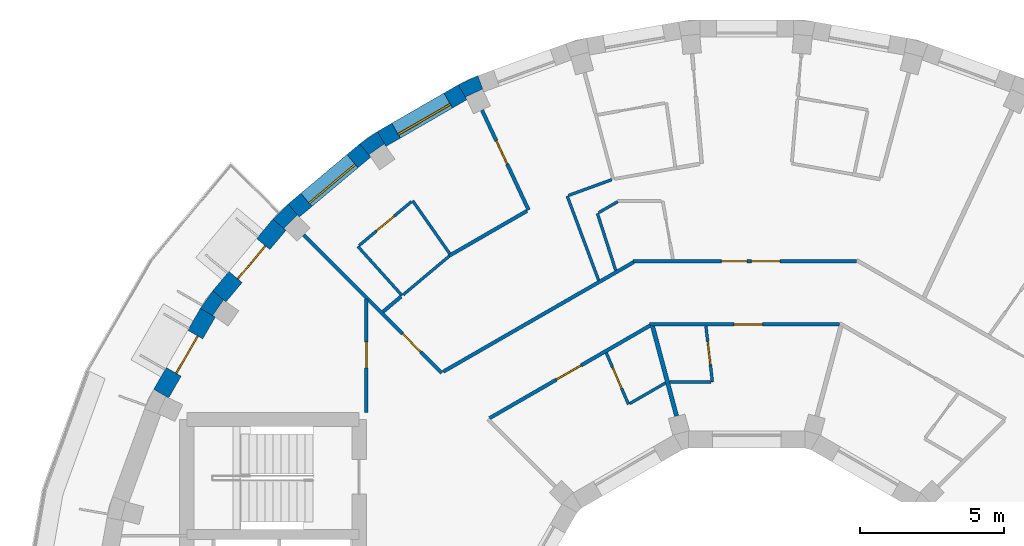
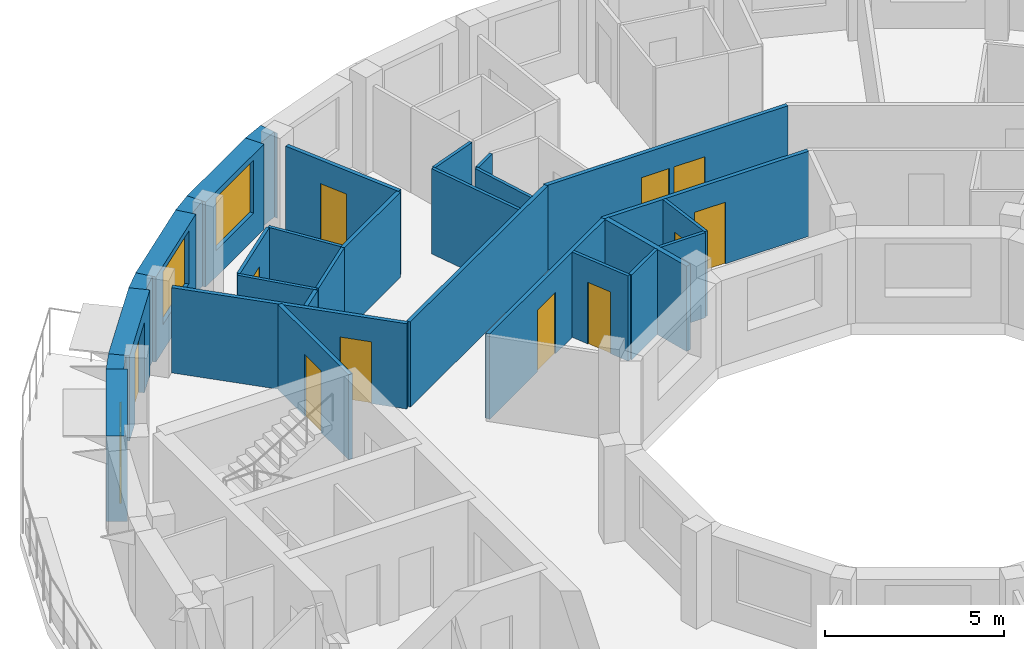
# One storey, part 7 of 10: 30 walls, 12 doors, 2 windows, 14 openings.
"""IFC4 building model written with IfcOpenShell, lengths in metres."""

from ifc_helpers import new_model, si_unit, direction, frame, frame_2d, origin, place, context, subcontext, project, spatial, polyline, rectangle, outline, extrude, material, layer, layer_set, type_object, element, fill, save


model = new_model("IFC4")

# Units and contexts
model_context = context("Model", 3, precision=1e-05, world=origin(), true_north=direction((0.0, 1.0)))
body_context = subcontext(model_context, "Body", "Model", "MODEL_VIEW")
ifc_project = project(units=[si_unit("LENGTHUNIT", "METRE"), si_unit("AREAUNIT", "SQUARE_METRE"), si_unit("VOLUMEUNIT", "CUBIC_METRE"), si_unit("PLANEANGLEUNIT", "RADIAN"), si_unit("MASSUNIT", "GRAM", prefix="KILO")], contexts=[model_context])

# Site, building, storey
site_placement = place(None, origin())
site = spatial("IfcSite", under=ifc_project, at=site_placement, CompositionType="ELEMENT")
building_placement = place(site_placement, origin())
building = spatial("IfcBuilding", under=site, at=building_placement, Name="Saqina Gate Tower", CompositionType="ELEMENT")
storey_placement = place(building_placement, frame((0.0, 0.0, 242.89990234375)))
storey = spatial("IfcBuildingStorey", under=building, at=storey_placement, Name="L69", CompositionType="ELEMENT", Elevation=242.89990234375)

# Walls
ifc_material_1 = material(Name="Brick masonry (buff)", Category="masonry")
wall_type_1 = type_object("IfcWallType", Name="BRICK PIER COPING BUFF", PredefinedType="SOLIDWALL", material=ifc_material_1)
wall_1_placement = place(storey_placement, origin())
element("IfcWall", 1, at=wall_1_placement, inside=storey, type_object=wall_type_1, Name="Pier cap L69 column 12", PredefinedType="SOLIDWALL", context=body_context, shape_type="SweptSolid", body=[
    extrude(outline(polyline([(-9.3642578125, 20.974609375), (-10.048095703125, 20.65576171875), (-9.748291015625, 20.135986328125), (-9.79296875, 20.23193359375), (-9.203857421875, 20.506591796875), (-9.1591796875, 20.410888671875), (-9.3642578125, 20.974609375)])), origin(), (0.0, 0.0, 1.0), 2.900146484375),
])
wall_2_placement = place(storey_placement, origin())
element("IfcWall", 2, at=wall_2_placement, inside=storey, type_object=wall_type_1, Name="Pier cap L69 column 13", PredefinedType="SOLIDWALL", context=body_context, shape_type="SweptSolid", body=[
    extrude(outline(polyline([(-12.8642578125, 19.02978515625), (-13.482421875, 18.59716796875), (-13.0966796875, 18.137451171875), (-13.157470703125, 18.22412109375), (-12.625, 18.596923828125), (-12.564208984375, 18.51025390625), (-12.8642578125, 19.02978515625)])), origin(), (0.0, 0.0, 1.0), 2.900146484375),
])
wall_3_placement = place(storey_placement, origin())
element("IfcWall", 3, at=wall_3_placement, inside=storey, type_object=wall_type_1, Name="Pier cap L69 column 14", PredefinedType="SOLIDWALL", context=body_context, shape_type="SweptSolid", body=[
    extrude(outline(polyline([(-16.5068359375, 15.973388671875), (-16.04736328125, 15.587646484375), (-16.1220703125, 15.662353515625), (-15.662353515625, 16.1220703125), (-15.587646484375, 16.04736328125), (-15.973388671875, 16.5068359375), (-16.5068359375, 15.973388671875)])), origin(), (0.0, 0.0, 1.0), 2.900146484375),
])
wall_4_placement = place(storey_placement, origin())
element("IfcWall", 4, at=wall_4_placement, inside=storey, type_object=wall_type_1, Name="Pier cap L69 column 15", PredefinedType="SOLIDWALL", context=body_context, shape_type="SweptSolid", body=[
    extrude(outline(polyline([(-19.02978515625, 12.8642578125), (-18.51025390625, 12.564208984375), (-18.596923828125, 12.625), (-18.22412109375, 13.157470703125), (-18.137451171875, 13.0966796875), (-18.59716796875, 13.482421875), (-19.02978515625, 12.8642578125)])), origin(), (0.0, 0.0, 1.0), 2.900146484375),
])

# Wall, opening, window
ifc_material_2 = material(Name="Brick masonry (buff)", Category="masonry")
ifc_layer_1 = layer(ifc_material_2, 0.60009765625)
ifc_layer_set_1 = layer_set([ifc_layer_1], Name="FW-BRICK-BUFF")
wall_type_2 = type_object("IfcWallType", Name="FW-BRICK-BUFF", PredefinedType="SOLIDWALL", material=ifc_layer_set_1)
wall_5_placement = place(storey_placement, frame((-9.898193359375, 20.39599609375, 0.0), z_axis=(0.0, 0.0, 1.0), x_axis=(-0.866016800201, -0.500014901547, 0.0)))
wall_5 = element("IfcWall", 5, at=wall_5_placement, inside=storey, type_object=wall_type_2, Name="Facade wall L69 facet 12", PredefinedType="SOLIDWALL", context=body_context, shape_type="SweptSolid", body=[
    extrude(rectangle(XDim=3.251953125, YDim=0.60009765625, at=frame_2d((1.6259765625, 0.0))), origin(), (0.0, 0.0, 1.0), 2.900146484375),
])
opening_1_placement = place(wall_5_placement, frame((0.57568359375, 0.0, 0.89990234375)))
opening_1 = element("IfcOpeningElement", 6, at=opening_1_placement, cuts=wall_5, Name="Opening G20-W10", PredefinedType="OPENING", context=body_context, shape_type="SweptSolid", body=[
    extrude(rectangle(XDim=2.10009765625, YDim=1.800048828125, at=frame_2d((1.050048828125, 0.89990234375))), frame((0.0, 0.31201171875, 0.0), z_axis=(0.0, -1.0, 0.0), x_axis=(1.0, 0.0, 0.0)), (0.0, 0.0, 1.0), 0.6240234375),
])
ifc_material_3 = material(Name="Aluminium glazing", Category="aluminium")
window_type = type_object("IfcWindowType", Name="WN-D", PartitioningType="SINGLE_PANEL", PredefinedType="WINDOW", material=ifc_material_3)
window_1_placement = place(opening_1_placement, origin())
window_1 = element("IfcWindow", 7, at=window_1_placement, inside=storey, type_object=window_type, Name="Window L69 facet 12", OverallHeight=1.800048828125, OverallWidth=2.10009765625, PartitioningType="SINGLE_PANEL", PredefinedType="WINDOW", context=body_context, shape_type="SweptSolid", body=[
    extrude(rectangle(XDim=2.10009765625, YDim=1.800048828125, at=frame_2d((1.050048828125, 0.89990234375))), frame((0.0, 0.179931640625, 0.0), z_axis=(0.0, -1.0, 0.0), x_axis=(1.0, 0.0, 0.0)), (0.0, 0.0, 1.0), 0.06005859375),
])
fill(opening_1, window_1)

wall_6_placement = place(storey_placement, frame((-13.28955078125, 18.3671875, 0.0), z_axis=(0.0, 0.0, 1.0), x_axis=(-0.766056773982, -0.64277291405, 0.0)))
wall_6 = element("IfcWall", 8, at=wall_6_placement, inside=storey, type_object=wall_type_2, Name="Facade wall L69 facet 13", PredefinedType="SOLIDWALL", context=body_context, shape_type="SweptSolid", body=[
    extrude(rectangle(XDim=3.251708984375, YDim=0.60009765625, at=frame_2d((1.6259765625, 0.0))), origin(), (0.0, 0.0, 1.0), 2.900146484375),
])
opening_2_placement = place(wall_6_placement, frame((0.57568359375, 0.0, 0.89990234375)))
opening_2 = element("IfcOpeningElement", 9, at=opening_2_placement, cuts=wall_6, Name="Opening G20-W11", PredefinedType="OPENING", context=body_context, shape_type="SweptSolid", body=[
    extrude(rectangle(XDim=2.10009765625, YDim=1.800048828125, at=frame_2d((1.050048828125, 0.89990234375))), frame((0.0, 0.31201171875, 0.0), z_axis=(0.0, -1.0, 0.0), x_axis=(1.0, 0.0, 0.0)), (0.0, 0.0, 1.0), 0.6240234375),
])
window_2_placement = place(opening_2_placement, origin())
window_2 = element("IfcWindow", 10, at=window_2_placement, inside=storey, type_object=window_type, Name="Window L69 facet 13", OverallHeight=1.800048828125, OverallWidth=2.10009765625, PartitioningType="SINGLE_PANEL", PredefinedType="WINDOW", context=body_context, shape_type="SweptSolid", body=[
    extrude(rectangle(XDim=2.10009765625, YDim=1.800048828125, at=frame_2d((1.050048828125, 0.89990234375))), frame((0.0, 0.179931640625, 0.0), z_axis=(0.0, -1.0, 0.0), x_axis=(1.0, 0.0, 0.0)), (0.0, 0.0, 1.0), 0.06005859375),
])
fill(opening_2, window_2)

# Wall, opening, door
wall_7_placement = place(storey_placement, frame((-16.277099609375, 15.780517578125, 0.0), z_axis=(0.0, 0.0, 1.0), x_axis=(-0.64277291405, -0.766056773982, 0.0)))
wall_7 = element("IfcWall", 11, at=wall_7_placement, inside=storey, type_object=wall_type_2, Name="Facade wall L69 facet 14", PredefinedType="SOLIDWALL", context=body_context, shape_type="SweptSolid", body=[
    extrude(rectangle(XDim=3.251708984375, YDim=0.60009765625, at=frame_2d((1.6259765625, 0.0))), origin(), (0.0, 0.0, 1.0), 2.900146484375),
])
opening_3_placement = place(wall_7_placement, frame((0.875732421875, 0.0, 0.0)))
opening_3 = element("IfcOpeningElement", 12, at=opening_3_placement, cuts=wall_7, Name="Opening G20-D80", PredefinedType="OPENING", context=body_context, shape_type="SweptSolid", body=[
    extrude(rectangle(XDim=1.5, YDim=2.39990234375, at=frame_2d((0.75, 1.199951171875))), frame((0.0, 0.31201171875, 0.0), z_axis=(0.0, -1.0, 0.0), x_axis=(1.0, 0.0, 0.0)), (0.0, 0.0, 1.0), 0.6240234375),
])
ifc_material_4 = material(Name="Aluminium glazing", Category="aluminium")
door_type_1 = type_object("IfcDoorType", Name="GD-D", OperationType="DOUBLE_DOOR_SINGLE_SWING", PredefinedType="DOOR", material=ifc_material_4)
door_1_placement = place(opening_3_placement, frame((1.5, 0.0, 0.0), z_axis=(0.0, 0.0, 1.0), x_axis=(-1.0, 0.0, 0.0)))
door_1 = element("IfcDoor", 13, at=door_1_placement, inside=storey, type_object=door_type_1, Name="Terrace door L69 facet 14", OperationType="DOUBLE_DOOR_SINGLE_SWING", OverallHeight=2.39990234375, OverallWidth=1.5, PredefinedType="DOOR", context=body_context, shape_type="SweptSolid", body=[
    extrude(rectangle(XDim=1.5, YDim=2.39990234375, at=frame_2d((0.75, 1.199951171875))), frame((0.0, -0.0751953125, 0.0), z_axis=(0.0, -1.0, 0.0), x_axis=(1.0, 0.0, 0.0)), (0.0, 0.0, 1.0), 0.050048828125),
])
fill(opening_3, door_1)

wall_8_placement = place(storey_placement, frame((-18.77001953125, 12.71435546875, 0.0), z_axis=(0.0, 0.0, 1.0), x_axis=(-0.500014901547, -0.866016800201, 0.0)))
wall_8 = element("IfcWall", 14, at=wall_8_placement, inside=storey, type_object=wall_type_2, Name="Facade wall L69 facet 15", PredefinedType="SOLIDWALL", context=body_context, shape_type="SweptSolid", body=[
    extrude(rectangle(XDim=3.251953125, YDim=0.60009765625, at=frame_2d((1.6259765625, 0.0))), origin(), (0.0, 0.0, 1.0), 2.900146484375),
])
opening_4_placement = place(wall_8_placement, frame((0.875732421875, 0.0, 0.0)))
opening_4 = element("IfcOpeningElement", 15, at=opening_4_placement, cuts=wall_8, Name="Opening G20-D81", PredefinedType="OPENING", context=body_context, shape_type="SweptSolid", body=[
    extrude(rectangle(XDim=1.5, YDim=2.39990234375, at=frame_2d((0.75, 1.199951171875))), frame((0.0, 0.31201171875, 0.0), z_axis=(0.0, -1.0, 0.0), x_axis=(1.0, 0.0, 0.0)), (0.0, 0.0, 1.0), 0.6240234375),
])
door_2_placement = place(opening_4_placement, frame((1.5, 0.0, 0.0), z_axis=(0.0, 0.0, 1.0), x_axis=(-1.0, 0.0, 0.0)))
door_2 = element("IfcDoor", 16, at=door_2_placement, inside=storey, type_object=door_type_1, Name="Terrace door L69 facet 15", OperationType="DOUBLE_DOOR_SINGLE_SWING", OverallHeight=2.39990234375, OverallWidth=1.5, PredefinedType="DOOR", context=body_context, shape_type="SweptSolid", body=[
    extrude(rectangle(XDim=1.5, YDim=2.39990234375, at=frame_2d((0.75, 1.199951171875))), frame((0.0, -0.0751953125, 0.0), z_axis=(0.0, -1.0, 0.0), x_axis=(1.0, 0.0, 0.0)), (0.0, 0.0, 1.0), 0.050048828125),
])
fill(opening_4, door_2)

ifc_material_5 = material(Name="Gypsum board on steel studs, 100 mm", Category="steel")
ifc_layer_2 = layer(ifc_material_5, 0.10009765625)
ifc_layer_set_2 = layer_set([ifc_layer_2], Name="PARTITION 100")
wall_type_3 = type_object("IfcWallType", Name="PARTITION 100", PredefinedType="PARTITIONING", material=ifc_layer_set_2)
wall_9_placement = place(storey_placement, frame((-1.421875, 12.247802734375, 0.0), z_axis=(0.0, 0.0, 1.0), x_axis=(0.115265376048, -0.993334733654, 0.0)))
wall_9 = element("IfcWall", 17, at=wall_9_placement, inside=storey, type_object=wall_type_3, Name="PARTITION PW3-02", PredefinedType="PARTITIONING", context=body_context, shape_type="SweptSolid", body=[
    extrude(rectangle(XDim=1.95068359375, YDim=0.10009765625, at=frame_2d((0.975341796875, 0.0))), origin(), (0.0, 0.0, 1.0), 2.900146484375),
])
opening_5_placement = place(wall_9_placement, frame((0.544189453125, 0.0, 0.0)))
opening_5 = element("IfcOpeningElement", 18, at=opening_5_placement, cuts=wall_9, Name="Opening G20-D11", PredefinedType="OPENING", context=body_context, shape_type="SweptSolid", body=[
    extrude(rectangle(XDim=0.800048828125, YDim=2.10009765625, at=frame_2d((0.39990234375, 1.050048828125))), frame((0.0, 0.06201171875, 0.0), z_axis=(0.0, -1.0, 0.0), x_axis=(1.0, 0.0, 0.0)), (0.0, 0.0, 1.0), 0.1240234375),
])
ifc_material_6 = material(Name="Timber door leaf, 800 mm", Category="wood")
door_type_2 = type_object("IfcDoorType", Name="DOOR 800 TIMBER", OperationType="SINGLE_SWING_LEFT", PredefinedType="DOOR", material=ifc_material_6)
door_3_placement = place(opening_5_placement, origin())
door_3 = element("IfcDoor", 19, at=door_3_placement, inside=storey, type_object=door_type_2, Name="DOOR G20-D11", OperationType="SINGLE_SWING_LEFT", OverallHeight=2.10009765625, OverallWidth=0.800048828125, PredefinedType="DOOR", context=body_context, shape_type="SweptSolid", body=[
    extrude(rectangle(XDim=0.800048828125, YDim=2.10009765625, at=frame_2d((0.39990234375, 1.050048828125))), frame((0.0, 0.02490234375, 0.0), z_axis=(0.0, -1.0, 0.0), x_axis=(1.0, 0.0, 0.0)), (0.0, 0.0, 1.0), 0.050048828125),
])
fill(opening_5, door_3)

# Walls
wall_10_placement = place(storey_placement, frame((-5.201904296875, 16.176025390625, 0.0), z_axis=(0.0, 0.0, 1.0), x_axis=(0.305778015567, -0.95210283331, 0.0)))
element("IfcWall", 20, at=wall_10_placement, inside=storey, type_object=wall_type_3, Name="PARTITION PW3-07", PredefinedType="PARTITIONING", context=body_context, shape_type="SweptSolid", body=[
    extrude(rectangle(XDim=2.08544921875, YDim=0.10009765625, at=frame_2d((1.042724609375, 0.0))), origin(), (0.0, 0.0, 1.0), 2.900146484375),
])
wall_11_placement = place(storey_placement, frame((-6.254150390625, 16.783447265625, 0.0), z_axis=(0.0, 0.0, 1.0), x_axis=(0.349354612584, -0.936990584086, 0.0)))
element("IfcWall", 21, at=wall_11_placement, inside=storey, type_object=wall_type_3, Name="PARTITION PW3-09", PredefinedType="PARTITIONING", context=body_context, shape_type="SweptSolid", body=[
    extrude(rectangle(XDim=3.132080078125, YDim=0.10009765625, at=frame_2d((1.56591796875, 0.0))), origin(), (0.0, 0.0, 1.0), 2.900146484375),
])

# Wall, opening, door
wall_12_placement = place(storey_placement, frame((-4.89208984375, 11.317626953125, 0.0), z_axis=(0.0, 0.0, 1.0), x_axis=(0.396862705984, -0.917877983503, 0.0)))
wall_12 = element("IfcWall", 22, at=wall_12_placement, inside=storey, type_object=wall_type_3, Name="PARTITION PW3-10", PredefinedType="PARTITIONING", context=body_context, shape_type="SweptSolid", body=[
    extrude(rectangle(XDim=1.95068359375, YDim=0.10009765625, at=frame_2d((0.975341796875, 0.0))), origin(), (0.0, 0.0, 1.0), 2.900146484375),
])
opening_6_placement = place(wall_12_placement, frame((0.544189453125, 0.0, 0.0)))
opening_6 = element("IfcOpeningElement", 23, at=opening_6_placement, cuts=wall_12, Name="Opening G20-D14", PredefinedType="OPENING", context=body_context, shape_type="SweptSolid", body=[
    extrude(rectangle(XDim=0.800048828125, YDim=2.10009765625, at=frame_2d((0.39990234375, 1.050048828125))), frame((0.0, 0.06201171875, 0.0), z_axis=(0.0, -1.0, 0.0), x_axis=(1.0, 0.0, 0.0)), (0.0, 0.0, 1.0), 0.1240234375),
])
door_4_placement = place(opening_6_placement, frame((0.800048828125, 0.0, 0.0), z_axis=(0.0, 0.0, 1.0), x_axis=(-1.0, 0.0, 0.0)))
door_4 = element("IfcDoor", 24, at=door_4_placement, inside=storey, type_object=door_type_2, Name="DOOR G20-D14", OperationType="SINGLE_SWING_RIGHT", OverallHeight=2.10009765625, OverallWidth=0.800048828125, PredefinedType="DOOR", context=body_context, shape_type="SweptSolid", body=[
    extrude(rectangle(XDim=0.800048828125, YDim=2.10009765625, at=frame_2d((0.39990234375, 1.050048828125))), frame((0.0, 0.02490234375, 0.0), z_axis=(0.0, -1.0, 0.0), x_axis=(1.0, 0.0, 0.0)), (0.0, 0.0, 1.0), 0.050048828125),
])
fill(opening_6, door_4)

# Walls
wall_13_placement = place(storey_placement, frame((-11.63623046875, 16.6181640625, 0.0), z_axis=(0.0, 0.0, 1.0), x_axis=(0.573600447395, -0.819135231051, 0.0)))
element("IfcWall", 25, at=wall_13_placement, inside=storey, type_object=wall_type_3, Name="PARTITION PW3-12", PredefinedType="PARTITIONING", context=body_context, shape_type="SweptSolid", body=[
    extrude(rectangle(XDim=2.254150390625, YDim=0.10009765625, at=frame_2d((1.126953125, 0.0))), origin(), (0.0, 0.0, 1.0), 2.900146484375),
])
wall_14_placement = place(storey_placement, frame((-13.54248046875, 15.0224609375, 0.0), z_axis=(0.0, 0.0, 1.0), x_axis=(0.669234230629, -0.743051508682, 0.0)))
element("IfcWall", 26, at=wall_14_placement, inside=storey, type_object=wall_type_3, Name="PARTITION PW3-14", PredefinedType="PARTITIONING", context=body_context, shape_type="SweptSolid", body=[
    extrude(rectangle(XDim=2.302001953125, YDim=0.10009765625, at=frame_2d((1.15087890625, 0.0))), origin(), (0.0, 0.0, 1.0), 2.900146484375),
])
wall_15_placement = place(storey_placement, frame((-2.68798828125, 10.31005859375, 0.0), z_axis=(0.0, 0.0, 1.0), x_axis=(1.0, 0.0, 0.0)))
element("IfcWall", 27, at=wall_15_placement, inside=storey, type_object=wall_type_3, Name="PARTITION PW3-26", PredefinedType="PARTITIONING", context=body_context, shape_type="SweptSolid", body=[
    extrude(rectangle(XDim=1.44091796875, YDim=0.10009765625, at=frame_2d((0.720458984375, 0.0))), origin(), (0.0, 0.0, 1.0), 2.900146484375),
])
wall_16_placement = place(storey_placement, frame((-6.206298828125, 16.802978515625, 0.0), z_axis=(0.0, 0.0, 1.0), x_axis=(0.939561559708, 0.342380016237, 0.0)))
element("IfcWall", 28, at=wall_16_placement, inside=storey, type_object=wall_type_3, Name="PARTITION PW3-32", PredefinedType="PARTITIONING", context=body_context, shape_type="SweptSolid", body=[
    extrude(rectangle(XDim=1.60009765625, YDim=0.10009765625, at=frame_2d((0.800048828125, 0.0))), origin(), (0.0, 0.0, 1.0), 2.900146484375),
])
wall_17_placement = place(storey_placement, frame((-4.07470703125, 9.552001953125, 0.0), z_axis=(0.0, 0.0, 1.0), x_axis=(0.865843856352, 0.500314317622, 0.0)))
element("IfcWall", 29, at=wall_17_placement, inside=storey, type_object=wall_type_3, Name="PARTITION PW3-35", PredefinedType="PARTITIONING", context=body_context, shape_type="SweptSolid", body=[
    extrude(rectangle(XDim=1.43994140625, YDim=0.10009765625, at=frame_2d((0.719970703125, 0.0))), origin(), (0.0, 0.0, 1.0), 2.900146484375),
])
wall_18_placement = place(storey_placement, frame((-5.15673828125, 16.2021484375, 0.0), z_axis=(0.0, 0.0, 1.0), x_axis=(0.865797482265, 0.500394564022, 0.0)))
element("IfcWall", 30, at=wall_18_placement, inside=storey, type_object=wall_type_3, Name="PARTITION PW3-36", PredefinedType="PARTITIONING", context=body_context, shape_type="SweptSolid", body=[
    extrude(rectangle(XDim=0.76513671875, YDim=0.10009765625, at=frame_2d((0.382568359375, 0.0))), origin(), (0.0, 0.0, 1.0), 2.900146484375),
])
wall_19_placement = place(storey_placement, frame((-11.963623046875, 13.34423828125, 0.0), z_axis=(0.0, 0.0, 1.0), x_axis=(0.766141495573, 0.64267192934, 0.0)))
element("IfcWall", 31, at=wall_19_placement, inside=storey, type_object=wall_type_3, Name="PARTITION PW3-38", PredefinedType="PARTITIONING", context=body_context, shape_type="SweptSolid", body=[
    extrude(rectangle(XDim=2.092041015625, YDim=0.10009765625, at=frame_2d((1.0458984375, 0.0))), origin(), (0.0, 0.0, 1.0), 2.900146484375),
])

# Wall, opening, door
wall_20_placement = place(storey_placement, frame((-13.502685546875, 15.055908203125, 0.0), z_axis=(0.0, 0.0, 1.0), x_axis=(0.766160636549, 0.642649110326, 0.0)))
wall_20 = element("IfcWall", 32, at=wall_20_placement, inside=storey, type_object=wall_type_3, Name="PARTITION PW3-39", PredefinedType="PARTITIONING", context=body_context, shape_type="SweptSolid", body=[
    extrude(rectangle(XDim=2.3837890625, YDim=0.10009765625, at=frame_2d((1.19189453125, 0.0))), origin(), (0.0, 0.0, 1.0), 2.900146484375),
])
opening_7_placement = place(wall_20_placement, frame((0.791259765625, 0.0, 0.0)))
opening_7 = element("IfcOpeningElement", 33, at=opening_7_placement, cuts=wall_20, Name="Opening G20-D17", PredefinedType="OPENING", context=body_context, shape_type="SweptSolid", body=[
    extrude(rectangle(XDim=0.800048828125, YDim=2.10009765625, at=frame_2d((0.39990234375, 1.050048828125))), frame((0.0, 0.06201171875, 0.0), z_axis=(0.0, -1.0, 0.0), x_axis=(1.0, 0.0, 0.0)), (0.0, 0.0, 1.0), 0.1240234375),
])
door_5_placement = place(opening_7_placement, origin())
door_5 = element("IfcDoor", 34, at=door_5_placement, inside=storey, type_object=door_type_2, Name="DOOR G20-D17", OperationType="SINGLE_SWING_LEFT", OverallHeight=2.10009765625, OverallWidth=0.800048828125, PredefinedType="DOOR", context=body_context, shape_type="SweptSolid", body=[
    extrude(rectangle(XDim=0.800048828125, YDim=2.10009765625, at=frame_2d((0.39990234375, 1.050048828125))), frame((0.0, 0.02490234375, 0.0), z_axis=(0.0, -1.0, 0.0), x_axis=(1.0, 0.0, 0.0)), (0.0, 0.0, 1.0), 0.050048828125),
])
fill(opening_7, door_5)

ifc_material_7 = material(Name="Gypsum board on steel studs, 125 mm, fire rated", Category="steel")
ifc_layer_3 = layer(ifc_material_7, 0.125)
ifc_layer_set_3 = layer_set([ifc_layer_3], Name="PARTITION EI 30 125")
wall_type_4 = type_object("IfcWallType", Name="PARTITION EI 30 125", PredefinedType="PARTITIONING", material=ifc_layer_set_3)
wall_21_placement = place(storey_placement, frame((-9.22021484375, 19.770751953125, 0.0), z_axis=(0.0, 0.0, 1.0), x_axis=(0.422997061032, -0.906131053633, 0.0)))
wall_21 = element("IfcWall", 35, at=wall_21_placement, inside=storey, type_object=wall_type_4, Name="PARTITION PW1-05", PredefinedType="PARTITIONING", context=body_context, shape_type="SweptSolid", body=[
    extrude(rectangle(XDim=3.83251953125, YDim=0.125, at=frame_2d((1.916259765625, 0.0))), origin(), (0.0, 0.0, 1.0), 2.900146484375),
])
opening_8_placement = place(wall_21_placement, frame((1.17578125, 0.0, 0.0)))
opening_8 = element("IfcOpeningElement", 36, at=opening_8_placement, cuts=wall_21, Name="Opening G20-D15", PredefinedType="OPENING", context=body_context, shape_type="SweptSolid", body=[
    extrude(rectangle(XDim=0.89990234375, YDim=2.10009765625, at=frame_2d((0.449951171875, 1.050048828125))), frame((0.0, 0.074462890625, 0.0), z_axis=(0.0, -1.0, 0.0), x_axis=(1.0, 0.0, 0.0)), (0.0, 0.0, 1.0), 0.14892578125),
])
ifc_material_8 = material(Name="Fire door leaf EI 30, 900 mm")
door_type_3 = type_object("IfcDoorType", Name="DOOR 900 EI 30", OperationType="SINGLE_SWING_LEFT", PredefinedType="DOOR", material=ifc_material_8)
door_6_placement = place(opening_8_placement, origin())
door_6 = element("IfcDoor", 37, at=door_6_placement, inside=storey, type_object=door_type_3, Name="DOOR G20-D15", OperationType="SINGLE_SWING_LEFT", OverallHeight=2.10009765625, OverallWidth=0.89990234375, PredefinedType="DOOR", context=body_context, shape_type="SweptSolid", body=[
    extrude(rectangle(XDim=0.89990234375, YDim=2.10009765625, at=frame_2d((0.449951171875, 1.050048828125))), frame((0.0, 0.02490234375, 0.0), z_axis=(0.0, -1.0, 0.0), x_axis=(1.0, 0.0, 0.0)), (0.0, 0.0, 1.0), 0.050048828125),
])
fill(opening_8, door_6)

wall_22_placement = place(storey_placement, frame((-15.425537109375, 15.425537109375, 0.0), z_axis=(0.0, 0.0, 1.0), x_axis=(0.707106781187, -0.707106781187, 0.0)))
wall_22 = element("IfcWall", 38, at=wall_22_placement, inside=storey, type_object=wall_type_4, Name="PARTITION PW1-06", PredefinedType="PARTITIONING", context=body_context, shape_type="SweptSolid", body=[
    extrude(rectangle(XDim=6.793212890625, YDim=0.125, at=frame_2d((3.396484375, 0.0))), origin(), (0.0, 0.0, 1.0), 2.900146484375),
])
opening_9_placement = place(wall_22_placement, frame((4.8642578125, 0.0, 0.0)))
opening_9 = element("IfcOpeningElement", 39, at=opening_9_placement, cuts=wall_22, Name="Opening G20-D18", PredefinedType="OPENING", context=body_context, shape_type="SweptSolid", body=[
    extrude(rectangle(XDim=0.89990234375, YDim=2.10009765625, at=frame_2d((0.449951171875, 1.050048828125))), frame((0.0, 0.074462890625, 0.0), z_axis=(0.0, -1.0, 0.0), x_axis=(1.0, 0.0, 0.0)), (0.0, 0.0, 1.0), 0.14892578125),
])
door_7_placement = place(opening_9_placement, origin())
door_7 = element("IfcDoor", 40, at=door_7_placement, inside=storey, type_object=door_type_3, Name="DOOR G20-D18", OperationType="SINGLE_SWING_RIGHT", OverallHeight=2.10009765625, OverallWidth=0.89990234375, PredefinedType="DOOR", context=body_context, shape_type="SweptSolid", body=[
    extrude(rectangle(XDim=0.89990234375, YDim=2.10009765625, at=frame_2d((0.449951171875, 1.050048828125))), frame((0.0, 0.02490234375, 0.0), z_axis=(0.0, -1.0, 0.0), x_axis=(1.0, 0.0, 0.0)), (0.0, 0.0, 1.0), 0.050048828125),
])
fill(opening_9, door_7)

wall_23_placement = place(storey_placement, frame((-3.384521484375, 12.31005859375, 0.0), z_axis=(0.0, 0.0, 1.0), x_axis=(1.0, 0.0, 0.0)))
wall_23 = element("IfcWall", 41, at=wall_23_placement, inside=storey, type_object=wall_type_4, Name="PARTITION PW1-19", PredefinedType="PARTITIONING", context=body_context, shape_type="SweptSolid", body=[
    extrude(rectangle(XDim=6.6201171875, YDim=0.125, at=frame_2d((3.31005859375, 0.0))), origin(), (0.0, 0.0, 1.0), 2.900146484375),
])
opening_10_placement = place(wall_23_placement, frame((2.935546875, 0.0, 0.0)))
opening_10 = element("IfcOpeningElement", 42, at=opening_10_placement, cuts=wall_23, Name="Opening G20-D08", PredefinedType="OPENING", context=body_context, shape_type="SweptSolid", body=[
    extrude(rectangle(XDim=1.0, YDim=2.10009765625, at=frame_2d((0.5, 1.050048828125))), frame((0.0, 0.074462890625, 0.0), z_axis=(0.0, -1.0, 0.0), x_axis=(1.0, 0.0, 0.0)), (0.0, 0.0, 1.0), 0.14892578125),
])
ifc_material_9 = material(Name="Fire door leaf EI 30, 1000 mm")
door_type_4 = type_object("IfcDoorType", Name="DOOR 1000 EI 30", OperationType="SINGLE_SWING_LEFT", PredefinedType="DOOR", material=ifc_material_9)
door_8_placement = place(opening_10_placement, frame((1.0, 0.0, 0.0), z_axis=(0.0, 0.0, 1.0), x_axis=(-1.0, 0.0, 0.0)))
door_8 = element("IfcDoor", 43, at=door_8_placement, inside=storey, type_object=door_type_4, Name="DOOR G20-D08", OperationType="SINGLE_SWING_LEFT", OverallHeight=2.10009765625, OverallWidth=1.0, PredefinedType="DOOR", context=body_context, shape_type="SweptSolid", body=[
    extrude(rectangle(XDim=1.0, YDim=2.10009765625, at=frame_2d((0.5, 1.050048828125))), frame((0.0, 0.02490234375, 0.0), z_axis=(0.0, -1.0, 0.0), x_axis=(1.0, 0.0, 0.0)), (0.0, 0.0, 1.0), 0.050048828125),
])
fill(opening_10, door_8)

# Wall, openings, doors
wall_24_placement = place(storey_placement, frame((-3.960205078125, 14.510009765625, 0.0), z_axis=(0.0, 0.0, 1.0), x_axis=(1.0, 0.0, 0.0)))
wall_24 = element("IfcWall", 44, at=wall_24_placement, inside=storey, type_object=wall_type_4, Name="PARTITION PW1-20", PredefinedType="PARTITIONING", context=body_context, shape_type="SweptSolid", body=[
    extrude(rectangle(XDim=7.78466796875, YDim=0.125, at=frame_2d((3.892333984375, 0.0))), origin(), (0.0, 0.0, 1.0), 2.900146484375),
])
opening_11_placement = place(wall_24_placement, frame((4.12451171875, 0.0, 0.0)))
opening_11 = element("IfcOpeningElement", 45, at=opening_11_placement, cuts=wall_24, Name="Opening G20-D07", PredefinedType="OPENING", context=body_context, shape_type="SweptSolid", body=[
    extrude(rectangle(XDim=1.0, YDim=2.10009765625, at=frame_2d((0.5, 1.050048828125))), frame((0.0, 0.074462890625, 0.0), z_axis=(0.0, -1.0, 0.0), x_axis=(1.0, 0.0, 0.0)), (0.0, 0.0, 1.0), 0.14892578125),
])
opening_12_placement = place(wall_24_placement, frame((3.07470703125, 0.0, 0.0)))
opening_12 = element("IfcOpeningElement", 46, at=opening_12_placement, cuts=wall_24, Name="Opening G20-D09", PredefinedType="OPENING", context=body_context, shape_type="SweptSolid", body=[
    extrude(rectangle(XDim=0.89990234375, YDim=2.10009765625, at=frame_2d((0.449951171875, 1.050048828125))), frame((0.0, 0.074462890625, 0.0), z_axis=(0.0, -1.0, 0.0), x_axis=(1.0, 0.0, 0.0)), (0.0, 0.0, 1.0), 0.14892578125),
])
door_9_placement = place(opening_11_placement, origin())
door_9 = element("IfcDoor", 47, at=door_9_placement, inside=storey, type_object=door_type_4, Name="DOOR G20-D07", OperationType="SINGLE_SWING_RIGHT", OverallHeight=2.10009765625, OverallWidth=1.0, PredefinedType="DOOR", context=body_context, shape_type="SweptSolid", body=[
    extrude(rectangle(XDim=1.0, YDim=2.10009765625, at=frame_2d((0.5, 1.050048828125))), frame((0.0, 0.02490234375, 0.0), z_axis=(0.0, -1.0, 0.0), x_axis=(1.0, 0.0, 0.0)), (0.0, 0.0, 1.0), 0.050048828125),
])
fill(opening_11, door_9)
door_10_placement = place(opening_12_placement, origin())
door_10 = element("IfcDoor", 48, at=door_10_placement, inside=storey, type_object=door_type_3, Name="DOOR G20-D09", OperationType="SINGLE_SWING_LEFT", OverallHeight=2.10009765625, OverallWidth=0.89990234375, PredefinedType="DOOR", context=body_context, shape_type="SweptSolid", body=[
    extrude(rectangle(XDim=0.89990234375, YDim=2.10009765625, at=frame_2d((0.449951171875, 1.050048828125))), frame((0.0, 0.02490234375, 0.0), z_axis=(0.0, -1.0, 0.0), x_axis=(1.0, 0.0, 0.0)), (0.0, 0.0, 1.0), 0.050048828125),
])
fill(opening_12, door_10)

# Wall
wall_25_placement = place(storey_placement, frame((-10.572998046875, 10.662353515625, 0.0), z_axis=(0.0, 0.0, 1.0), x_axis=(0.866792171996, 0.498669560497, 0.0)))
element("IfcWall", 49, at=wall_25_placement, inside=storey, type_object=wall_type_4, Name="PARTITION PW1-23", PredefinedType="PARTITIONING", context=body_context, shape_type="SweptSolid", body=[
    extrude(rectangle(XDim=7.650634765625, YDim=0.125, at=frame_2d((3.8251953125, 0.0))), origin(), (0.0, 0.0, 1.0), 2.900146484375),
])

# Wall, opening, door
wall_26_placement = place(storey_placement, frame((-8.957763671875, 9.043212890625, 0.0), z_axis=(0.0, 0.0, 1.0), x_axis=(0.866083637917, 0.499899121956, 0.0)))
wall_26 = element("IfcWall", 50, at=wall_26_placement, inside=storey, type_object=wall_type_4, Name="PARTITION PW1-26", PredefinedType="PARTITIONING", context=body_context, shape_type="SweptSolid", body=[
    extrude(rectangle(XDim=6.459716796875, YDim=0.125, at=frame_2d((3.22998046875, 0.0))), origin(), (0.0, 0.0, 1.0), 2.900146484375),
])
opening_13_placement = place(wall_26_placement, frame((2.68505859375, 0.0, 0.0)))
opening_13 = element("IfcOpeningElement", 51, at=opening_13_placement, cuts=wall_26, Name="Opening G20-D16", PredefinedType="OPENING", context=body_context, shape_type="SweptSolid", body=[
    extrude(rectangle(XDim=1.0, YDim=2.10009765625, at=frame_2d((0.5, 1.050048828125))), frame((0.0, 0.074462890625, 0.0), z_axis=(0.0, -1.0, 0.0), x_axis=(1.0, 0.0, 0.0)), (0.0, 0.0, 1.0), 0.14892578125),
])
door_11_placement = place(opening_13_placement, frame((1.0, 0.0, 0.0), z_axis=(0.0, 0.0, 1.0), x_axis=(-1.0, 0.0, 0.0)))
door_11 = element("IfcDoor", 52, at=door_11_placement, inside=storey, type_object=door_type_4, Name="DOOR G20-D16", OperationType="SINGLE_SWING_RIGHT", OverallHeight=2.10009765625, OverallWidth=1.0, PredefinedType="DOOR", context=body_context, shape_type="SweptSolid", body=[
    extrude(rectangle(XDim=1.0, YDim=2.10009765625, at=frame_2d((0.5, 1.050048828125))), frame((0.0, 0.02490234375, 0.0), z_axis=(0.0, -1.0, 0.0), x_axis=(1.0, 0.0, 0.0)), (0.0, 0.0, 1.0), 0.050048828125),
])
fill(opening_13, door_11)

# Walls
wall_27_placement = place(storey_placement, frame((-10.36865234375, 14.6982421875, 0.0), z_axis=(0.0, 0.0, 1.0), x_axis=(0.866303639744, 0.499517771221, 0.0)))
element("IfcWall", 53, at=wall_27_placement, inside=storey, type_object=wall_type_4, Name="PARTITION PW1-27", PredefinedType="PARTITIONING", context=body_context, shape_type="SweptSolid", body=[
    extrude(rectangle(XDim=3.13232421875, YDim=0.125, at=frame_2d((1.566162109375, 0.0))), origin(), (0.0, 0.0, 1.0), 2.900146484375),
])
wall_28_placement = place(storey_placement, frame((-12.6650390625, 12.755126953125, 0.0), z_axis=(0.0, 0.0, 1.0), x_axis=(0.765881991106, 0.642981162788, 0.0)))
element("IfcWall", 54, at=wall_28_placement, inside=storey, type_object=wall_type_4, Name="PARTITION PW1-28", PredefinedType="PARTITIONING", context=body_context, shape_type="SweptSolid", body=[
    extrude(rectangle(XDim=0.814453125, YDim=0.125, at=frame_2d((0.4072265625, 0.0))), origin(), (0.0, 0.0, 1.0), 2.900146484375),
])

# Wall, opening, door
wall_29_placement = place(storey_placement, frame((-13.25, 9.25, 0.0), z_axis=(0.0, 0.0, 1.0), x_axis=(0.0, 1.0, 0.0)))
wall_29 = element("IfcWall", 55, at=wall_29_placement, inside=storey, type_object=wall_type_4, Name="PARTITION PW1-42", PredefinedType="PARTITIONING", context=body_context, shape_type="SweptSolid", body=[
    extrude(rectangle(XDim=3.9375, YDim=0.125, at=frame_2d((1.96875, 0.0))), origin(), (0.0, 0.0, 1.0), 2.900146484375),
])
opening_14_placement = place(wall_29_placement, frame((1.550048828125, 0.0, 0.0)))
opening_14 = element("IfcOpeningElement", 56, at=opening_14_placement, cuts=wall_29, Name="Opening G20-D19", PredefinedType="OPENING", context=body_context, shape_type="SweptSolid", body=[
    extrude(rectangle(XDim=0.89990234375, YDim=2.10009765625, at=frame_2d((0.449951171875, 1.050048828125))), frame((0.0, 0.074462890625, 0.0), z_axis=(0.0, -1.0, 0.0), x_axis=(1.0, 0.0, 0.0)), (0.0, 0.0, 1.0), 0.14892578125),
])
door_12_placement = place(opening_14_placement, origin())
door_12 = element("IfcDoor", 57, at=door_12_placement, inside=storey, type_object=door_type_3, Name="DOOR G20-D19", OperationType="SINGLE_SWING_RIGHT", OverallHeight=2.10009765625, OverallWidth=0.89990234375, PredefinedType="DOOR", context=body_context, shape_type="SweptSolid", body=[
    extrude(rectangle(XDim=0.89990234375, YDim=2.10009765625, at=frame_2d((0.449951171875, 1.050048828125))), frame((0.0, 0.02490234375, 0.0), z_axis=(0.0, -1.0, 0.0), x_axis=(1.0, 0.0, 0.0)), (0.0, 0.0, 1.0), 0.050048828125),
])
fill(opening_14, door_12)

# Wall
ifc_material_10 = material(Name="Gypsum board on steel studs, 150 mm, fire rated", Category="steel")
ifc_layer_4 = layer(ifc_material_10, 0.14990234375)
ifc_layer_set_4 = layer_set([ifc_layer_4], Name="PARTITION EI 60 150")
wall_type_5 = type_object("IfcWallType", Name="PARTITION EI 60 150", PredefinedType="PARTITIONING", material=ifc_layer_set_4)
wall_30_placement = place(storey_placement, frame((-3.28125, 12.249755859375, 0.0), z_axis=(0.0, 0.0, 1.0), x_axis=(0.258127010189, -0.966110990834, 0.0)))
element("IfcWall", 58, at=wall_30_placement, inside=storey, type_object=wall_type_5, Name="PARTITION PW2-01", PredefinedType="PARTITIONING", context=body_context, shape_type="SweptSolid", body=[
    extrude(rectangle(XDim=3.239501953125, YDim=0.14990234375, at=frame_2d((1.61962890625, 0.0))), origin(), (0.0, 0.0, 1.0), 2.900146484375),
])

save(model, "model.ifc")
